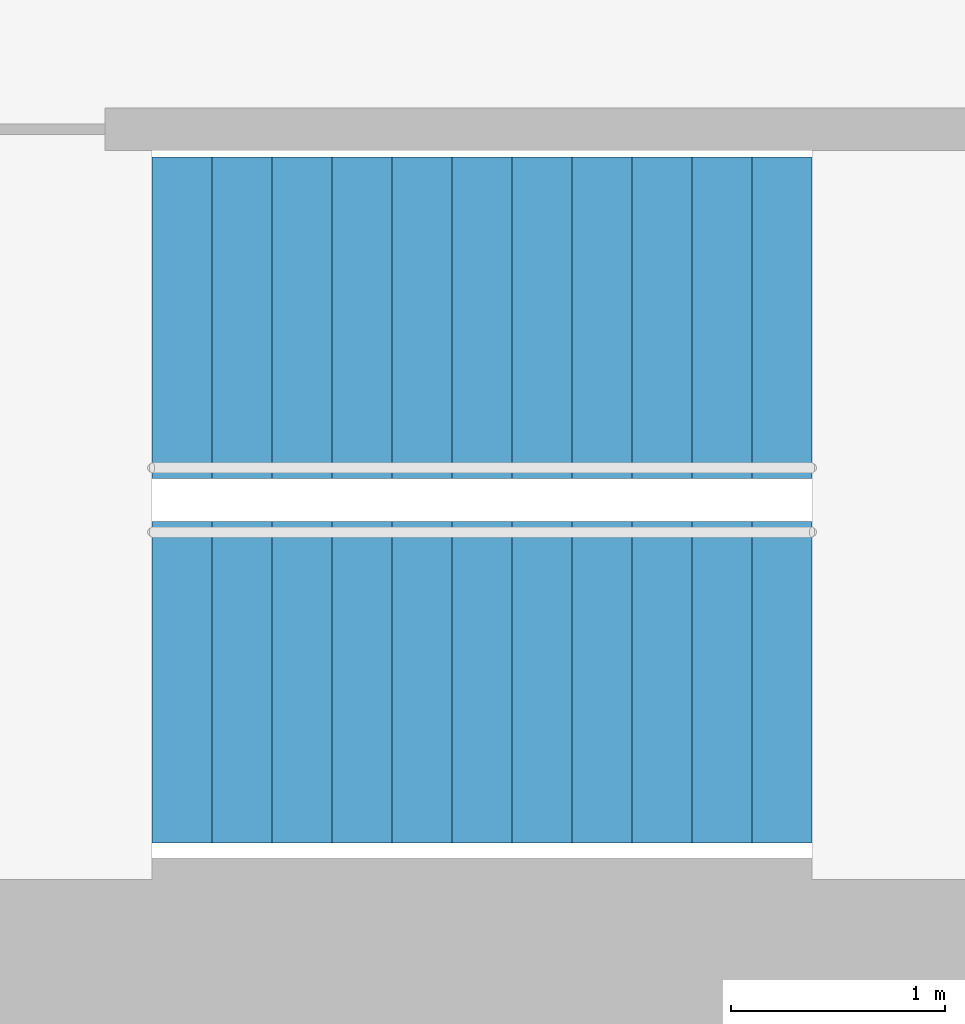
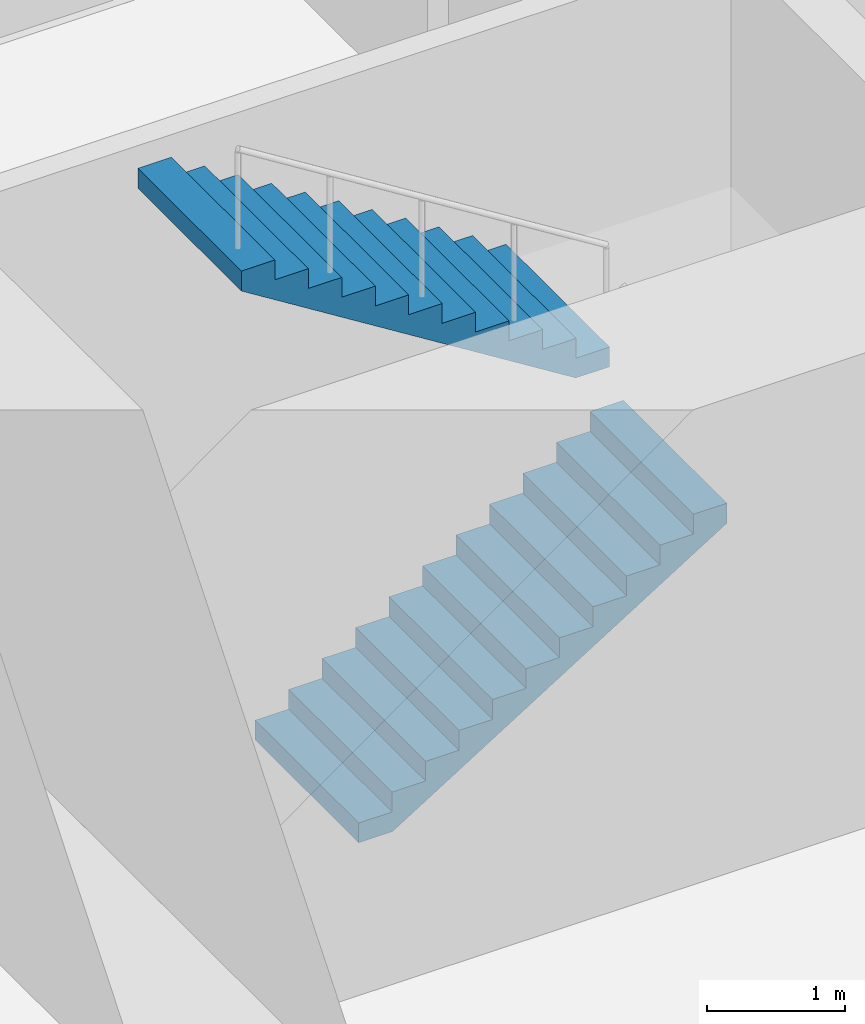
# One storey, part 15 of 17: 2 stair flights, 1 element without a shape of its own.
"""IFC4 building model written with IfcOpenShell, lengths in metres."""

from ifc_helpers import new_model, si_unit, direction, frame, origin, place, context, subcontext, project, spatial, triangles, material, type_object, element, aggregate, save


model = new_model("IFC4")

# Units and contexts
model_context = context("Model", 3, precision=1e-05, world=origin(), true_north=direction((0.0, 1.0)))
body_context = subcontext(model_context, "Body", "Model", "MODEL_VIEW")
ifc_project = project(units=[si_unit("LENGTHUNIT", "METRE"), si_unit("AREAUNIT", "SQUARE_METRE"), si_unit("VOLUMEUNIT", "CUBIC_METRE"), si_unit("PLANEANGLEUNIT", "RADIAN"), si_unit("MASSUNIT", "GRAM", prefix="KILO")], contexts=[model_context])

# Site, building, storey
site_placement = place(None, origin())
site = spatial("IfcSite", under=ifc_project, at=site_placement, CompositionType="ELEMENT")
building_placement = place(site_placement, origin())
building = spatial("IfcBuilding", under=site, at=building_placement, Name="Lantaw Convention Tower", CompositionType="ELEMENT")
storey_placement = place(building_placement, frame((0.0, 0.0, 151.0)))
storey = spatial("IfcBuildingStorey", under=building, at=storey_placement, Name="L35", CompositionType="ELEMENT", Elevation=151.0)

# Stair, stair flights
ifc_material = material(Name="Concrete C35/45", Category="concrete")
stair_type = type_object("IfcStairType", Name="Exit stair 1500 riser 175 in 2 flights", PredefinedType="HALF_TURN_STAIR", material=ifc_material)
stair_placement = place(storey_placement, origin())
stair = element("IfcStair", 1, at=stair_placement, inside=storey, type_object=stair_type, Name="Exit stair S1 L35", PredefinedType="HALF_TURN_STAIR")
stair_flight_type = type_object("IfcStairFlightType", Name="Stair flight 1500 riser 175", PredefinedType="STRAIGHT", material=ifc_material)
stair_flight_1_placement = place(storey_placement, frame((-10.580078125, -5.97998046875, 0.0), z_axis=(0.0, 0.0, 1.0), x_axis=(1.0, 0.0, 0.0)))
stair_flight_1 = element("IfcStairFlight", 2, at=stair_flight_1_placement, type_object=stair_flight_type, Name="S1 flight 1", NumberOfRisers=12, NumberOfTreads=11, PredefinedType="STRAIGHT", RiserHeight=0.175, TreadLength=0.28, context=body_context, shape_type="Tessellation", body=[
    triangles([(0.0, 0.75, 0.0), (0.0, 0.75, 0.175), (0.28, 0.75, 0.0), (0.28, 0.75, 0.175), (0.28, 0.75, 0.35), (0.28283517651771284, 0.75, 0.0), (0.28283517651771284, 0.75, 0.35), (0.56, 0.75, 0.17322801467642948), (0.56, 0.75, 0.35), (0.56, 0.75, 0.5249999999999999), (0.8400000000000001, 0.75, 0.34822801467642944), (0.8400000000000001, 0.75, 0.5249999999999999), (0.8400000000000001, 0.75, 0.7), (1.12, 0.75, 0.5232280146764294), (1.12, 0.75, 0.7), (1.12, 0.75, 0.875), (1.4000000000000001, 0.75, 0.6982280146764295), (1.4000000000000001, 0.75, 0.875), (1.4000000000000001, 0.75, 1.0499999999999998), (1.6800000000000002, 0.75, 0.8732280146764294), (1.6800000000000002, 0.75, 1.0499999999999998), (1.6800000000000002, 0.75, 1.2249999999999999), (1.9600000000000002, 0.75, 1.0482280146764293), (1.9600000000000002, 0.75, 1.2249999999999999), (1.9600000000000002, 0.75, 1.4), (2.24, 0.75, 1.2232280146764294), (2.24, 0.75, 1.4), (2.24, 0.75, 1.575), (2.5200000000000005, 0.75, 1.3982280146764294), (2.5200000000000005, 0.75, 1.575), (2.5200000000000005, 0.75, 1.75), (2.8000000000000003, 0.75, 1.5732280146764293), (2.8000000000000003, 0.75, 1.75), (2.8000000000000003, 0.75, 1.9249999999999998), (3.08, 0.75, 1.7482280146764293), (3.08, 0.75, 1.9249999999999998), (0.0, -0.75, 0.0), (0.0, -0.75, 0.175), (0.28, -0.75, 0.0), (0.28, -0.75, 0.175), (0.28, -0.75, 0.35), (0.28283517651771284, -0.75, 0.0), (0.28283517651771284, -0.75, 0.35), (0.56, -0.75, 0.17322801467642948), (0.56, -0.75, 0.35), (0.56, -0.75, 0.5249999999999999), (0.8400000000000001, -0.75, 0.34822801467642944), (0.8400000000000001, -0.75, 0.5249999999999999), (0.8400000000000001, -0.75, 0.7), (1.12, -0.75, 0.5232280146764294), (1.12, -0.75, 0.7), (1.12, -0.75, 0.875), (1.4000000000000001, -0.75, 0.6982280146764295), (1.4000000000000001, -0.75, 0.875), (1.4000000000000001, -0.75, 1.0499999999999998), (1.6800000000000002, -0.75, 0.8732280146764294), (1.6800000000000002, -0.75, 1.0499999999999998), (1.6800000000000002, -0.75, 1.2249999999999999), (1.9600000000000002, -0.75, 1.0482280146764293), (1.9600000000000002, -0.75, 1.2249999999999999), (1.9600000000000002, -0.75, 1.4), (2.24, -0.75, 1.2232280146764294), (2.24, -0.75, 1.4), (2.24, -0.75, 1.575), (2.5200000000000005, -0.75, 1.3982280146764294), (2.5200000000000005, -0.75, 1.575), (2.5200000000000005, -0.75, 1.75), (2.8000000000000003, -0.75, 1.5732280146764293), (2.8000000000000003, -0.75, 1.75), (2.8000000000000003, -0.75, 1.9249999999999998), (3.08, -0.75, 1.7482280146764293), (3.08, -0.75, 1.9249999999999998), (0.0, 0.15000000000000002, 0.175), (0.0, 0.15000000000000002, 0.0), (0.0, 0.0, 0.175), (0.0, 0.0, 0.0), (0.0, -0.15000000000000002, 0.175), (0.0, -0.15000000000000002, 0.0), (0.28, 0.15000000000000002, 0.35), (0.28, 0.15000000000000002, 0.175), (0.28, 0.0, 0.35), (0.28, 0.0, 0.175), (0.28, -0.15000000000000002, 0.35), (0.28, -0.15000000000000002, 0.175), (0.56, 0.15000000000000002, 0.5249999999999999), (0.56, 0.15000000000000002, 0.35), (0.56, 0.0, 0.5249999999999999), (0.56, 0.0, 0.35), (0.56, -0.15000000000000002, 0.5249999999999999), (0.56, -0.15000000000000002, 0.35), (0.8400000000000001, 0.15000000000000002, 0.7), (0.8400000000000001, 0.15000000000000002, 0.5249999999999999), (0.8400000000000001, 0.0, 0.7), (0.8400000000000001, 0.0, 0.5249999999999999), (0.8400000000000001, -0.15000000000000002, 0.7), (0.8400000000000001, -0.15000000000000002, 0.5249999999999999), (1.12, 0.15000000000000002, 0.875), (1.12, 0.15000000000000002, 0.7), (1.12, 0.0, 0.875), (1.12, 0.0, 0.7), (1.12, -0.15000000000000002, 0.875), (1.12, -0.15000000000000002, 0.7), (1.4000000000000001, 0.15000000000000002, 1.0499999999999998), (1.4000000000000001, 0.15000000000000002, 0.875), (1.4000000000000001, 0.0, 1.0499999999999998), (1.4000000000000001, 0.0, 0.875), (1.4000000000000001, -0.15000000000000002, 1.0499999999999998), (1.4000000000000001, -0.15000000000000002, 0.875), (1.6800000000000002, 0.15000000000000002, 1.2249999999999999), (1.6800000000000002, 0.15000000000000002, 1.0499999999999998), (1.6800000000000002, 0.0, 1.2249999999999999), (1.6800000000000002, 0.0, 1.0499999999999998), (1.6800000000000002, -0.15000000000000002, 1.2249999999999999), (1.6800000000000002, -0.15000000000000002, 1.0499999999999998), (1.9600000000000002, 0.15000000000000002, 1.4), (1.9600000000000002, 0.15000000000000002, 1.2249999999999999), (1.9600000000000002, 0.0, 1.4), (1.9600000000000002, 0.0, 1.2249999999999999), (1.9600000000000002, -0.15000000000000002, 1.4), (1.9600000000000002, -0.15000000000000002, 1.2249999999999999), (2.24, 0.15000000000000002, 1.575), (2.24, 0.15000000000000002, 1.4), (2.24, 0.0, 1.575), (2.24, 0.0, 1.4), (2.24, -0.15000000000000002, 1.575), (2.24, -0.15000000000000002, 1.4), (2.5200000000000005, 0.15000000000000002, 1.75), (2.5200000000000005, 0.15000000000000002, 1.575), (2.5200000000000005, 0.0, 1.75), (2.5200000000000005, 0.0, 1.575), (2.5200000000000005, -0.15000000000000002, 1.75), (2.5200000000000005, -0.15000000000000002, 1.575), (2.8000000000000003, 0.15000000000000002, 1.9249999999999998), (2.8000000000000003, 0.15000000000000002, 1.75), (2.8000000000000003, 0.0, 1.9249999999999998), (2.8000000000000003, 0.0, 1.75), (2.8000000000000003, -0.15000000000000002, 1.9249999999999998), (2.8000000000000003, -0.15000000000000002, 1.75), (0.28283517651771284, 0.15000000000000002, 0.35), (0.28283517651771284, 0.0, 0.35), (0.28283517651771284, -0.15000000000000002, 0.35), (3.08, 0.15000000000000002, 1.9249999999999998), (3.08, 0.0, 1.9249999999999998), (3.08, -0.15000000000000002, 1.9249999999999998), (3.08, 0.15000000000000002, 1.7482280146764293), (3.08, 0.0, 1.7482280146764293), (3.08, -0.15000000000000002, 1.7482280146764293), (2.8000000000000003, 0.15000000000000002, 1.5732280146764293), (2.8000000000000003, 0.0, 1.5732280146764293), (2.8000000000000003, -0.15000000000000002, 1.5732280146764293), (2.5200000000000005, 0.15000000000000002, 1.3982280146764294), (2.5200000000000005, 0.0, 1.3982280146764294), (2.5200000000000005, -0.15000000000000002, 1.3982280146764294), (2.24, 0.15000000000000002, 1.2232280146764294), (2.24, 0.0, 1.2232280146764294), (2.24, -0.15000000000000002, 1.2232280146764294), (1.9600000000000002, 0.15000000000000002, 1.0482280146764293), (1.9600000000000002, 0.0, 1.0482280146764293), (1.9600000000000002, -0.15000000000000002, 1.0482280146764293), (1.6800000000000002, 0.15000000000000002, 0.8732280146764294), (1.6800000000000002, 0.0, 0.8732280146764294), (1.6800000000000002, -0.15000000000000002, 0.8732280146764294), (1.4000000000000001, 0.15000000000000002, 0.6982280146764295), (1.4000000000000001, 0.0, 0.6982280146764295), (1.4000000000000001, -0.15000000000000002, 0.6982280146764295), (1.12, 0.15000000000000002, 0.5232280146764294), (1.12, 0.0, 0.5232280146764294), (1.12, -0.15000000000000002, 0.5232280146764294), (0.8400000000000001, 0.15000000000000002, 0.34822801467642944), (0.8400000000000001, 0.0, 0.34822801467642944), (0.8400000000000001, -0.15000000000000002, 0.34822801467642944), (0.56, 0.15000000000000002, 0.17322801467642948), (0.56, 0.0, 0.17322801467642948), (0.56, -0.15000000000000002, 0.17322801467642948), (0.28283517651771284, 0.15000000000000002, 0.0), (0.28283517651771284, 0.0, 0.0), (0.28283517651771284, -0.15000000000000002, 0.0), (0.28, 0.15000000000000002, 0.0), (0.28, 0.0, 0.0), (0.28, -0.15000000000000002, 0.0)], [[1, 4, 3], [1, 2, 4], [3, 4, 6], [4, 7, 6], [4, 5, 7], [6, 9, 8], [6, 7, 9], [8, 9, 11], [9, 12, 11], [9, 10, 12], [11, 12, 14], [12, 15, 14], [12, 13, 15], [14, 15, 17], [15, 18, 17], [15, 16, 18], [17, 18, 20], [18, 21, 20], [18, 19, 21], [20, 21, 23], [21, 24, 23], [21, 22, 24], [23, 24, 26], [24, 27, 26], [24, 25, 27], [26, 27, 29], [27, 30, 29], [27, 28, 30], [29, 30, 32], [30, 33, 32], [30, 31, 33], [32, 33, 35], [33, 36, 35], [33, 34, 36], [37, 39, 40], [37, 40, 38], [39, 42, 40], [40, 42, 43], [40, 43, 41], [42, 44, 45], [42, 45, 43], [44, 47, 45], [45, 47, 48], [45, 48, 46], [47, 50, 48], [48, 50, 51], [48, 51, 49], [50, 53, 51], [51, 53, 54], [51, 54, 52], [53, 56, 54], [54, 56, 57], [54, 57, 55], [56, 59, 57], [57, 59, 60], [57, 60, 58], [59, 62, 60], [60, 62, 63], [60, 63, 61], [62, 65, 63], [63, 65, 66], [63, 66, 64], [65, 68, 66], [66, 68, 69], [66, 69, 67], [68, 71, 69], [69, 71, 72], [69, 72, 70], [1, 73, 2], [1, 74, 73], [74, 75, 73], [74, 76, 75], [76, 77, 75], [76, 78, 77], [78, 38, 77], [78, 37, 38], [4, 79, 5], [4, 80, 79], [80, 81, 79], [80, 82, 81], [82, 83, 81], [82, 84, 83], [84, 41, 83], [84, 40, 41], [9, 85, 10], [9, 86, 85], [86, 87, 85], [86, 88, 87], [88, 89, 87], [88, 90, 89], [90, 46, 89], [90, 45, 46], [12, 91, 13], [12, 92, 91], [92, 93, 91], [92, 94, 93], [94, 95, 93], [94, 96, 95], [96, 49, 95], [96, 48, 49], [15, 97, 16], [15, 98, 97], [98, 99, 97], [98, 100, 99], [100, 101, 99], [100, 102, 101], [102, 52, 101], [102, 51, 52], [18, 103, 19], [18, 104, 103], [104, 105, 103], [104, 106, 105], [106, 107, 105], [106, 108, 107], [108, 55, 107], [108, 54, 55], [21, 109, 22], [21, 110, 109], [110, 111, 109], [110, 112, 111], [112, 113, 111], [112, 114, 113], [114, 58, 113], [114, 57, 58], [24, 115, 25], [24, 116, 115], [116, 117, 115], [116, 118, 117], [118, 119, 117], [118, 120, 119], [120, 61, 119], [120, 60, 61], [27, 121, 28], [27, 122, 121], [122, 123, 121], [122, 124, 123], [124, 125, 123], [124, 126, 125], [126, 64, 125], [126, 63, 64], [30, 127, 31], [30, 128, 127], [128, 129, 127], [128, 130, 129], [130, 131, 129], [130, 132, 131], [132, 67, 131], [132, 66, 67], [33, 133, 34], [33, 134, 133], [134, 135, 133], [134, 136, 135], [136, 137, 135], [136, 138, 137], [138, 70, 137], [138, 69, 70], [2, 80, 4], [2, 73, 80], [73, 82, 80], [73, 75, 82], [75, 84, 82], [75, 77, 84], [77, 40, 84], [77, 38, 40], [5, 139, 7], [5, 79, 139], [79, 140, 139], [79, 81, 140], [81, 141, 140], [81, 83, 141], [83, 43, 141], [83, 41, 43], [7, 86, 9], [7, 139, 86], [139, 88, 86], [139, 140, 88], [140, 90, 88], [140, 141, 90], [141, 45, 90], [141, 43, 45], [10, 92, 12], [10, 85, 92], [85, 94, 92], [85, 87, 94], [87, 96, 94], [87, 89, 96], [89, 48, 96], [89, 46, 48], [13, 98, 15], [13, 91, 98], [91, 100, 98], [91, 93, 100], [93, 102, 100], [93, 95, 102], [95, 51, 102], [95, 49, 51], [16, 104, 18], [16, 97, 104], [97, 106, 104], [97, 99, 106], [99, 108, 106], [99, 101, 108], [101, 54, 108], [101, 52, 54], [19, 110, 21], [19, 103, 110], [103, 112, 110], [103, 105, 112], [105, 114, 112], [105, 107, 114], [107, 57, 114], [107, 55, 57], [22, 116, 24], [22, 109, 116], [109, 118, 116], [109, 111, 118], [111, 120, 118], [111, 113, 120], [113, 60, 120], [113, 58, 60], [25, 122, 27], [25, 115, 122], [115, 124, 122], [115, 117, 124], [117, 126, 124], [117, 119, 126], [119, 63, 126], [119, 61, 63], [28, 128, 30], [28, 121, 128], [121, 130, 128], [121, 123, 130], [123, 132, 130], [123, 125, 132], [125, 66, 132], [125, 64, 66], [31, 134, 33], [31, 127, 134], [127, 136, 134], [127, 129, 136], [129, 138, 136], [129, 131, 138], [131, 69, 138], [131, 67, 69], [34, 142, 36], [34, 133, 142], [133, 143, 142], [133, 135, 143], [135, 144, 143], [135, 137, 144], [137, 72, 144], [137, 70, 72], [36, 145, 35], [36, 142, 145], [142, 146, 145], [142, 143, 146], [143, 147, 146], [143, 144, 147], [144, 71, 147], [144, 72, 71], [35, 148, 32], [35, 145, 148], [145, 149, 148], [145, 146, 149], [146, 150, 149], [146, 147, 150], [147, 68, 150], [147, 71, 68], [32, 151, 29], [32, 148, 151], [148, 152, 151], [148, 149, 152], [149, 153, 152], [149, 150, 153], [150, 65, 153], [150, 68, 65], [29, 154, 26], [29, 151, 154], [151, 155, 154], [151, 152, 155], [152, 156, 155], [152, 153, 156], [153, 62, 156], [153, 65, 62], [26, 157, 23], [26, 154, 157], [154, 158, 157], [154, 155, 158], [155, 159, 158], [155, 156, 159], [156, 59, 159], [156, 62, 59], [23, 160, 20], [23, 157, 160], [157, 161, 160], [157, 158, 161], [158, 162, 161], [158, 159, 162], [159, 56, 162], [159, 59, 56], [20, 163, 17], [20, 160, 163], [160, 164, 163], [160, 161, 164], [161, 165, 164], [161, 162, 165], [162, 53, 165], [162, 56, 53], [17, 166, 14], [17, 163, 166], [163, 167, 166], [163, 164, 167], [164, 168, 167], [164, 165, 168], [165, 50, 168], [165, 53, 50], [14, 169, 11], [14, 166, 169], [166, 170, 169], [166, 167, 170], [167, 171, 170], [167, 168, 171], [168, 47, 171], [168, 50, 47], [11, 172, 8], [11, 169, 172], [169, 173, 172], [169, 170, 173], [170, 174, 173], [170, 171, 174], [171, 44, 174], [171, 47, 44], [8, 175, 6], [8, 172, 175], [172, 176, 175], [172, 173, 176], [173, 177, 176], [173, 174, 177], [174, 42, 177], [174, 44, 42], [6, 178, 3], [6, 175, 178], [175, 179, 178], [175, 176, 179], [176, 180, 179], [176, 177, 180], [177, 39, 180], [177, 42, 39], [3, 74, 1], [3, 178, 74], [178, 76, 74], [178, 179, 76], [179, 78, 76], [179, 180, 78], [180, 37, 78], [180, 39, 37]], closed=True),
])
stair_flight_2_placement = place(storey_placement, frame((-7.5, -4.280029296875, 2.10009765625), z_axis=(0.0, 0.0, 1.0), x_axis=(-1.0, 0.0, 0.0)))
stair_flight_2 = element("IfcStairFlight", 3, at=stair_flight_2_placement, type_object=stair_flight_type, Name="S1 flight 2", NumberOfRisers=12, NumberOfTreads=11, PredefinedType="STRAIGHT", RiserHeight=0.175, TreadLength=0.28, context=body_context, shape_type="Tessellation", body=[
    triangles([(0.0, 0.75, 0.0), (0.0, 0.75, 0.175), (0.28, 0.75, 0.0), (0.28, 0.75, 0.175), (0.28, 0.75, 0.35), (0.28283517651771284, 0.75, 0.0), (0.28283517651771284, 0.75, 0.35), (0.56, 0.75, 0.17322801467642948), (0.56, 0.75, 0.35), (0.56, 0.75, 0.5249999999999999), (0.8400000000000001, 0.75, 0.34822801467642944), (0.8400000000000001, 0.75, 0.5249999999999999), (0.8400000000000001, 0.75, 0.7), (1.12, 0.75, 0.5232280146764294), (1.12, 0.75, 0.7), (1.12, 0.75, 0.875), (1.4000000000000001, 0.75, 0.6982280146764295), (1.4000000000000001, 0.75, 0.875), (1.4000000000000001, 0.75, 1.0499999999999998), (1.6800000000000002, 0.75, 0.8732280146764294), (1.6800000000000002, 0.75, 1.0499999999999998), (1.6800000000000002, 0.75, 1.2249999999999999), (1.9600000000000002, 0.75, 1.0482280146764293), (1.9600000000000002, 0.75, 1.2249999999999999), (1.9600000000000002, 0.75, 1.4), (2.24, 0.75, 1.2232280146764294), (2.24, 0.75, 1.4), (2.24, 0.75, 1.575), (2.5200000000000005, 0.75, 1.3982280146764294), (2.5200000000000005, 0.75, 1.575), (2.5200000000000005, 0.75, 1.75), (2.8000000000000003, 0.75, 1.5732280146764293), (2.8000000000000003, 0.75, 1.75), (2.8000000000000003, 0.75, 1.9249999999999998), (3.08, 0.75, 1.7482280146764293), (3.08, 0.75, 1.9249999999999998), (0.0, -0.75, 0.0), (0.0, -0.75, 0.175), (0.28, -0.75, 0.0), (0.28, -0.75, 0.175), (0.28, -0.75, 0.35), (0.28283517651771284, -0.75, 0.0), (0.28283517651771284, -0.75, 0.35), (0.56, -0.75, 0.17322801467642948), (0.56, -0.75, 0.35), (0.56, -0.75, 0.5249999999999999), (0.8400000000000001, -0.75, 0.34822801467642944), (0.8400000000000001, -0.75, 0.5249999999999999), (0.8400000000000001, -0.75, 0.7), (1.12, -0.75, 0.5232280146764294), (1.12, -0.75, 0.7), (1.12, -0.75, 0.875), (1.4000000000000001, -0.75, 0.6982280146764295), (1.4000000000000001, -0.75, 0.875), (1.4000000000000001, -0.75, 1.0499999999999998), (1.6800000000000002, -0.75, 0.8732280146764294), (1.6800000000000002, -0.75, 1.0499999999999998), (1.6800000000000002, -0.75, 1.2249999999999999), (1.9600000000000002, -0.75, 1.0482280146764293), (1.9600000000000002, -0.75, 1.2249999999999999), (1.9600000000000002, -0.75, 1.4), (2.24, -0.75, 1.2232280146764294), (2.24, -0.75, 1.4), (2.24, -0.75, 1.575), (2.5200000000000005, -0.75, 1.3982280146764294), (2.5200000000000005, -0.75, 1.575), (2.5200000000000005, -0.75, 1.75), (2.8000000000000003, -0.75, 1.5732280146764293), (2.8000000000000003, -0.75, 1.75), (2.8000000000000003, -0.75, 1.9249999999999998), (3.08, -0.75, 1.7482280146764293), (3.08, -0.75, 1.9249999999999998), (0.0, 0.15000000000000002, 0.175), (0.0, 0.15000000000000002, 0.0), (0.0, 0.0, 0.175), (0.0, 0.0, 0.0), (0.0, -0.15000000000000002, 0.175), (0.0, -0.15000000000000002, 0.0), (0.28, 0.15000000000000002, 0.35), (0.28, 0.15000000000000002, 0.175), (0.28, 0.0, 0.35), (0.28, 0.0, 0.175), (0.28, -0.15000000000000002, 0.35), (0.28, -0.15000000000000002, 0.175), (0.56, 0.15000000000000002, 0.5249999999999999), (0.56, 0.15000000000000002, 0.35), (0.56, 0.0, 0.5249999999999999), (0.56, 0.0, 0.35), (0.56, -0.15000000000000002, 0.5249999999999999), (0.56, -0.15000000000000002, 0.35), (0.8400000000000001, 0.15000000000000002, 0.7), (0.8400000000000001, 0.15000000000000002, 0.5249999999999999), (0.8400000000000001, 0.0, 0.7), (0.8400000000000001, 0.0, 0.5249999999999999), (0.8400000000000001, -0.15000000000000002, 0.7), (0.8400000000000001, -0.15000000000000002, 0.5249999999999999), (1.12, 0.15000000000000002, 0.875), (1.12, 0.15000000000000002, 0.7), (1.12, 0.0, 0.875), (1.12, 0.0, 0.7), (1.12, -0.15000000000000002, 0.875), (1.12, -0.15000000000000002, 0.7), (1.4000000000000001, 0.15000000000000002, 1.0499999999999998), (1.4000000000000001, 0.15000000000000002, 0.875), (1.4000000000000001, 0.0, 1.0499999999999998), (1.4000000000000001, 0.0, 0.875), (1.4000000000000001, -0.15000000000000002, 1.0499999999999998), (1.4000000000000001, -0.15000000000000002, 0.875), (1.6800000000000002, 0.15000000000000002, 1.2249999999999999), (1.6800000000000002, 0.15000000000000002, 1.0499999999999998), (1.6800000000000002, 0.0, 1.2249999999999999), (1.6800000000000002, 0.0, 1.0499999999999998), (1.6800000000000002, -0.15000000000000002, 1.2249999999999999), (1.6800000000000002, -0.15000000000000002, 1.0499999999999998), (1.9600000000000002, 0.15000000000000002, 1.4), (1.9600000000000002, 0.15000000000000002, 1.2249999999999999), (1.9600000000000002, 0.0, 1.4), (1.9600000000000002, 0.0, 1.2249999999999999), (1.9600000000000002, -0.15000000000000002, 1.4), (1.9600000000000002, -0.15000000000000002, 1.2249999999999999), (2.24, 0.15000000000000002, 1.575), (2.24, 0.15000000000000002, 1.4), (2.24, 0.0, 1.575), (2.24, 0.0, 1.4), (2.24, -0.15000000000000002, 1.575), (2.24, -0.15000000000000002, 1.4), (2.5200000000000005, 0.15000000000000002, 1.75), (2.5200000000000005, 0.15000000000000002, 1.575), (2.5200000000000005, 0.0, 1.75), (2.5200000000000005, 0.0, 1.575), (2.5200000000000005, -0.15000000000000002, 1.75), (2.5200000000000005, -0.15000000000000002, 1.575), (2.8000000000000003, 0.15000000000000002, 1.9249999999999998), (2.8000000000000003, 0.15000000000000002, 1.75), (2.8000000000000003, 0.0, 1.9249999999999998), (2.8000000000000003, 0.0, 1.75), (2.8000000000000003, -0.15000000000000002, 1.9249999999999998), (2.8000000000000003, -0.15000000000000002, 1.75), (0.28283517651771284, 0.15000000000000002, 0.35), (0.28283517651771284, 0.0, 0.35), (0.28283517651771284, -0.15000000000000002, 0.35), (3.08, 0.15000000000000002, 1.9249999999999998), (3.08, 0.0, 1.9249999999999998), (3.08, -0.15000000000000002, 1.9249999999999998), (3.08, 0.15000000000000002, 1.7482280146764293), (3.08, 0.0, 1.7482280146764293), (3.08, -0.15000000000000002, 1.7482280146764293), (2.8000000000000003, 0.15000000000000002, 1.5732280146764293), (2.8000000000000003, 0.0, 1.5732280146764293), (2.8000000000000003, -0.15000000000000002, 1.5732280146764293), (2.5200000000000005, 0.15000000000000002, 1.3982280146764294), (2.5200000000000005, 0.0, 1.3982280146764294), (2.5200000000000005, -0.15000000000000002, 1.3982280146764294), (2.24, 0.15000000000000002, 1.2232280146764294), (2.24, 0.0, 1.2232280146764294), (2.24, -0.15000000000000002, 1.2232280146764294), (1.9600000000000002, 0.15000000000000002, 1.0482280146764293), (1.9600000000000002, 0.0, 1.0482280146764293), (1.9600000000000002, -0.15000000000000002, 1.0482280146764293), (1.6800000000000002, 0.15000000000000002, 0.8732280146764294), (1.6800000000000002, 0.0, 0.8732280146764294), (1.6800000000000002, -0.15000000000000002, 0.8732280146764294), (1.4000000000000001, 0.15000000000000002, 0.6982280146764295), (1.4000000000000001, 0.0, 0.6982280146764295), (1.4000000000000001, -0.15000000000000002, 0.6982280146764295), (1.12, 0.15000000000000002, 0.5232280146764294), (1.12, 0.0, 0.5232280146764294), (1.12, -0.15000000000000002, 0.5232280146764294), (0.8400000000000001, 0.15000000000000002, 0.34822801467642944), (0.8400000000000001, 0.0, 0.34822801467642944), (0.8400000000000001, -0.15000000000000002, 0.34822801467642944), (0.56, 0.15000000000000002, 0.17322801467642948), (0.56, 0.0, 0.17322801467642948), (0.56, -0.15000000000000002, 0.17322801467642948), (0.28283517651771284, 0.15000000000000002, 0.0), (0.28283517651771284, 0.0, 0.0), (0.28283517651771284, -0.15000000000000002, 0.0), (0.28, 0.15000000000000002, 0.0), (0.28, 0.0, 0.0), (0.28, -0.15000000000000002, 0.0)], [[1, 4, 3], [1, 2, 4], [3, 4, 6], [4, 7, 6], [4, 5, 7], [6, 9, 8], [6, 7, 9], [8, 9, 11], [9, 12, 11], [9, 10, 12], [11, 12, 14], [12, 15, 14], [12, 13, 15], [14, 15, 17], [15, 18, 17], [15, 16, 18], [17, 18, 20], [18, 21, 20], [18, 19, 21], [20, 21, 23], [21, 24, 23], [21, 22, 24], [23, 24, 26], [24, 27, 26], [24, 25, 27], [26, 27, 29], [27, 30, 29], [27, 28, 30], [29, 30, 32], [30, 33, 32], [30, 31, 33], [32, 33, 35], [33, 36, 35], [33, 34, 36], [37, 39, 40], [37, 40, 38], [39, 42, 40], [40, 42, 43], [40, 43, 41], [42, 44, 45], [42, 45, 43], [44, 47, 45], [45, 47, 48], [45, 48, 46], [47, 50, 48], [48, 50, 51], [48, 51, 49], [50, 53, 51], [51, 53, 54], [51, 54, 52], [53, 56, 54], [54, 56, 57], [54, 57, 55], [56, 59, 57], [57, 59, 60], [57, 60, 58], [59, 62, 60], [60, 62, 63], [60, 63, 61], [62, 65, 63], [63, 65, 66], [63, 66, 64], [65, 68, 66], [66, 68, 69], [66, 69, 67], [68, 71, 69], [69, 71, 72], [69, 72, 70], [1, 73, 2], [1, 74, 73], [74, 75, 73], [74, 76, 75], [76, 77, 75], [76, 78, 77], [78, 38, 77], [78, 37, 38], [4, 79, 5], [4, 80, 79], [80, 81, 79], [80, 82, 81], [82, 83, 81], [82, 84, 83], [84, 41, 83], [84, 40, 41], [9, 85, 10], [9, 86, 85], [86, 87, 85], [86, 88, 87], [88, 89, 87], [88, 90, 89], [90, 46, 89], [90, 45, 46], [12, 91, 13], [12, 92, 91], [92, 93, 91], [92, 94, 93], [94, 95, 93], [94, 96, 95], [96, 49, 95], [96, 48, 49], [15, 97, 16], [15, 98, 97], [98, 99, 97], [98, 100, 99], [100, 101, 99], [100, 102, 101], [102, 52, 101], [102, 51, 52], [18, 103, 19], [18, 104, 103], [104, 105, 103], [104, 106, 105], [106, 107, 105], [106, 108, 107], [108, 55, 107], [108, 54, 55], [21, 109, 22], [21, 110, 109], [110, 111, 109], [110, 112, 111], [112, 113, 111], [112, 114, 113], [114, 58, 113], [114, 57, 58], [24, 115, 25], [24, 116, 115], [116, 117, 115], [116, 118, 117], [118, 119, 117], [118, 120, 119], [120, 61, 119], [120, 60, 61], [27, 121, 28], [27, 122, 121], [122, 123, 121], [122, 124, 123], [124, 125, 123], [124, 126, 125], [126, 64, 125], [126, 63, 64], [30, 127, 31], [30, 128, 127], [128, 129, 127], [128, 130, 129], [130, 131, 129], [130, 132, 131], [132, 67, 131], [132, 66, 67], [33, 133, 34], [33, 134, 133], [134, 135, 133], [134, 136, 135], [136, 137, 135], [136, 138, 137], [138, 70, 137], [138, 69, 70], [2, 80, 4], [2, 73, 80], [73, 82, 80], [73, 75, 82], [75, 84, 82], [75, 77, 84], [77, 40, 84], [77, 38, 40], [5, 139, 7], [5, 79, 139], [79, 140, 139], [79, 81, 140], [81, 141, 140], [81, 83, 141], [83, 43, 141], [83, 41, 43], [7, 86, 9], [7, 139, 86], [139, 88, 86], [139, 140, 88], [140, 90, 88], [140, 141, 90], [141, 45, 90], [141, 43, 45], [10, 92, 12], [10, 85, 92], [85, 94, 92], [85, 87, 94], [87, 96, 94], [87, 89, 96], [89, 48, 96], [89, 46, 48], [13, 98, 15], [13, 91, 98], [91, 100, 98], [91, 93, 100], [93, 102, 100], [93, 95, 102], [95, 51, 102], [95, 49, 51], [16, 104, 18], [16, 97, 104], [97, 106, 104], [97, 99, 106], [99, 108, 106], [99, 101, 108], [101, 54, 108], [101, 52, 54], [19, 110, 21], [19, 103, 110], [103, 112, 110], [103, 105, 112], [105, 114, 112], [105, 107, 114], [107, 57, 114], [107, 55, 57], [22, 116, 24], [22, 109, 116], [109, 118, 116], [109, 111, 118], [111, 120, 118], [111, 113, 120], [113, 60, 120], [113, 58, 60], [25, 122, 27], [25, 115, 122], [115, 124, 122], [115, 117, 124], [117, 126, 124], [117, 119, 126], [119, 63, 126], [119, 61, 63], [28, 128, 30], [28, 121, 128], [121, 130, 128], [121, 123, 130], [123, 132, 130], [123, 125, 132], [125, 66, 132], [125, 64, 66], [31, 134, 33], [31, 127, 134], [127, 136, 134], [127, 129, 136], [129, 138, 136], [129, 131, 138], [131, 69, 138], [131, 67, 69], [34, 142, 36], [34, 133, 142], [133, 143, 142], [133, 135, 143], [135, 144, 143], [135, 137, 144], [137, 72, 144], [137, 70, 72], [36, 145, 35], [36, 142, 145], [142, 146, 145], [142, 143, 146], [143, 147, 146], [143, 144, 147], [144, 71, 147], [144, 72, 71], [35, 148, 32], [35, 145, 148], [145, 149, 148], [145, 146, 149], [146, 150, 149], [146, 147, 150], [147, 68, 150], [147, 71, 68], [32, 151, 29], [32, 148, 151], [148, 152, 151], [148, 149, 152], [149, 153, 152], [149, 150, 153], [150, 65, 153], [150, 68, 65], [29, 154, 26], [29, 151, 154], [151, 155, 154], [151, 152, 155], [152, 156, 155], [152, 153, 156], [153, 62, 156], [153, 65, 62], [26, 157, 23], [26, 154, 157], [154, 158, 157], [154, 155, 158], [155, 159, 158], [155, 156, 159], [156, 59, 159], [156, 62, 59], [23, 160, 20], [23, 157, 160], [157, 161, 160], [157, 158, 161], [158, 162, 161], [158, 159, 162], [159, 56, 162], [159, 59, 56], [20, 163, 17], [20, 160, 163], [160, 164, 163], [160, 161, 164], [161, 165, 164], [161, 162, 165], [162, 53, 165], [162, 56, 53], [17, 166, 14], [17, 163, 166], [163, 167, 166], [163, 164, 167], [164, 168, 167], [164, 165, 168], [165, 50, 168], [165, 53, 50], [14, 169, 11], [14, 166, 169], [166, 170, 169], [166, 167, 170], [167, 171, 170], [167, 168, 171], [168, 47, 171], [168, 50, 47], [11, 172, 8], [11, 169, 172], [169, 173, 172], [169, 170, 173], [170, 174, 173], [170, 171, 174], [171, 44, 174], [171, 47, 44], [8, 175, 6], [8, 172, 175], [172, 176, 175], [172, 173, 176], [173, 177, 176], [173, 174, 177], [174, 42, 177], [174, 44, 42], [6, 178, 3], [6, 175, 178], [175, 179, 178], [175, 176, 179], [176, 180, 179], [176, 177, 180], [177, 39, 180], [177, 42, 39], [3, 74, 1], [3, 178, 74], [178, 76, 74], [178, 179, 76], [179, 78, 76], [179, 180, 78], [180, 37, 78], [180, 39, 37]], closed=True),
])
aggregate(stair, [stair_flight_1, stair_flight_2])

save(model, "model.ifc")
